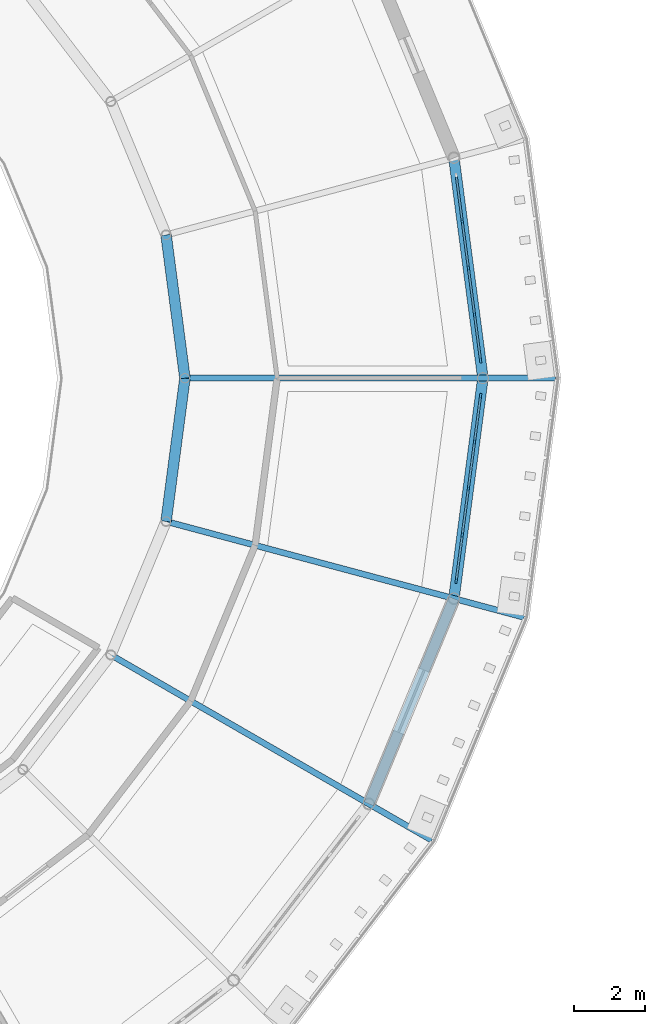
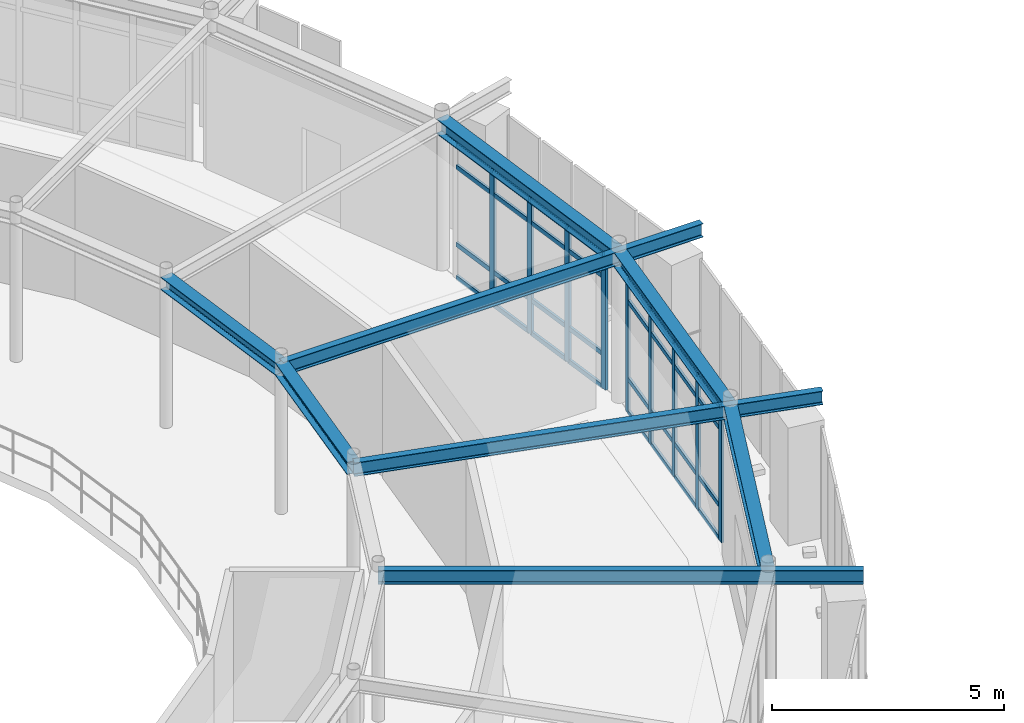
# One storey, part 38 of 90: 41 members, 8 beams, 2 elements without a shape of their own.
"""IFC4 building model written with IfcOpenShell, lengths in metres."""

from ifc_helpers import new_model, si_unit, derived_unit, direction, frame, origin, origin_2d, place, context, subcontext, project, spatial, rectangle, i_section, extrude, material, layer, layer_set, material_profile, profile_set, type_object, element, aggregate, save


model = new_model("IFC4")

# Units and contexts
model_context = context("Model", 3, precision=1e-05, world=origin(), true_north=direction((0.0, 1.0)))
body_context = subcontext(model_context, "Body", "Model", "MODEL_VIEW")
ifc_project = project(units=[si_unit("LENGTHUNIT", "METRE"), si_unit("AREAUNIT", "SQUARE_METRE"), si_unit("VOLUMEUNIT", "CUBIC_METRE"), si_unit("PLANEANGLEUNIT", "RADIAN"), si_unit("MASSUNIT", "GRAM", prefix="KILO"), derived_unit("THERMALTRANSMITTANCEUNIT", [(si_unit("POWERUNIT", "WATT"), 1), (si_unit("AREAUNIT", "SQUARE_METRE"), -1), (si_unit("THERMODYNAMICTEMPERATUREUNIT", "KELVIN"), -1)])], contexts=[model_context])

# Site, building, storey
site_placement = place(None, origin())
site = spatial("IfcSite", under=ifc_project, at=site_placement, CompositionType="ELEMENT")
building_placement = place(site_placement, origin())
building = spatial("IfcBuilding", under=site, at=building_placement, Name="Yasenodar Specialist Clinic", CompositionType="ELEMENT")
storey_placement = place(building_placement, frame((0.0, 0.0, 9.0)))
storey = spatial("IfcBuildingStorey", under=building, at=storey_placement, Name="L02", CompositionType="ELEMENT", Elevation=9.0)

# Beams
ifc_material_1 = material(Name="Steel S355", Category="steel")
ifc_material_profile_1 = material_profile(ifc_material_1, i_section(OverallWidth=0.300048828125, OverallDepth=0.330078125, WebThickness=0.009521484375, FlangeThickness=0.0166015625, FilletRadius=0.027099609375, at=origin_2d()), Name="HEA 340")
ifc_profile_set_1 = profile_set([ifc_material_profile_1], Name="Steel S355")
beam_type_1 = type_object("IfcBeamType", Name="BM-HEA340", PredefinedType="BEAM", material=ifc_profile_set_1)
for number, where, z_axis, x_axis, name in (
    (1, (96.60009765625, 58.800048828125, 3.784912109375), (-0.130569268018, 0.991439189385, 0.0), (-0.991439189385, -0.130569268018, 0.0), "L02 Drum V1 Inner Ring Beam"),
    (2, (96.068359375, 54.762451171875, 3.784912109375), (0.130569268018, 0.991439189385, 0.0), (-0.991439189385, 0.130569268018, 0.0), "L02 Drum V1 Inner Ring Beam"),
):
    element("IfcBeam", number, at=place(storey_placement, frame(where, z_axis=z_axis, x_axis=x_axis)), inside=storey, type_object=beam_type_1, Name=name, PredefinedType="BEAM", context=body_context, shape_type="SweptSolid", body=[
        extrude(i_section(OverallWidth=0.300048828125, OverallDepth=0.330078125, WebThickness=0.009521484375, FlangeThickness=0.0166015625, FilletRadius=0.027099609375, at=origin_2d()), origin(), (0.0, 0.0, 1.0), 4.072509765625),
    ])
ifc_material_profile_2 = material_profile(ifc_material_1, i_section(OverallWidth=0.300048828125, OverallDepth=0.389892578125, WebThickness=0.010986328125, FlangeThickness=0.01904296875, FilletRadius=0.027099609375, at=origin_2d()), Name="HEA 400")
ifc_profile_set_2 = profile_set([ifc_material_profile_2], Name="Steel S355")
beam_type_2 = type_object("IfcBeamType", Name="BM-HEA400", PredefinedType="BEAM", material=ifc_profile_set_2)
beam_1_placement = place(storey_placement, frame((105.0, 58.800048828125, 3.7548828125), z_axis=(-0.130540192224, 0.991443018138, 0.0), x_axis=(-0.991443018138, -0.130540192224, 0.0)))
element("IfcBeam", 3, at=beam_1_placement, inside=storey, type_object=beam_type_2, Name="L02 Drum V1 Perimeter Ring Beam", PredefinedType="BEAM", context=body_context, shape_type="SweptSolid", body=[
    extrude(i_section(OverallWidth=0.300048828125, OverallDepth=0.389892578125, WebThickness=0.010986328125, FlangeThickness=0.01904296875, FilletRadius=0.027099609375, at=origin_2d()), origin(), (0.0, 0.0, 1.0), 6.265380859375),
])
beam_2_placement = place(storey_placement, frame((101.78466796875, 46.800048828125, 3.7548828125), z_axis=(0.382663829839, 0.9238876519, 0.0), x_axis=(-0.9238876519, 0.382663829839, 0.0)))
element("IfcBeam", 4, at=beam_2_placement, inside=storey, type_object=beam_type_2, Name="L02 Drum V1 Perimeter Ring Beam", PredefinedType="BEAM", context=body_context, shape_type="SweptSolid", body=[
    extrude(i_section(OverallWidth=0.300048828125, OverallDepth=0.389892578125, WebThickness=0.010986328125, FlangeThickness=0.01904296875, FilletRadius=0.027099609375, at=origin_2d()), origin(), (0.0, 0.0, 1.0), 6.26513671875),
])
beam_3_placement = place(storey_placement, frame((104.18212890625, 52.58837890625, 3.7548828125), z_axis=(0.130540192224, 0.991443018138, 0.0), x_axis=(-0.991443018138, 0.130540192224, 0.0)))
element("IfcBeam", 5, at=beam_3_placement, inside=storey, type_object=beam_type_2, Name="L02 Drum V1 Perimeter Ring Beam", PredefinedType="BEAM", context=body_context, shape_type="SweptSolid", body=[
    extrude(i_section(OverallWidth=0.300048828125, OverallDepth=0.389892578125, WebThickness=0.010986328125, FlangeThickness=0.01904296875, FilletRadius=0.027099609375, at=origin_2d()), origin(), (0.0, 0.0, 1.0), 6.265380859375),
])
ifc_material_profile_3 = material_profile(ifc_material_1, i_section(OverallWidth=0.169921875, OverallDepth=0.360107421875, WebThickness=0.008056640625, FlangeThickness=0.0126953125, FilletRadius=0.01806640625, at=origin_2d()), Name="IPE 360")
ifc_profile_set_3 = profile_set([ifc_material_profile_3], Name="Steel S355")
beam_type_3 = type_object("IfcBeamType", Name="BM-IPE360", PredefinedType="BEAM", material=ifc_profile_set_3)
beam_4_placement = place(storey_placement, frame((96.60009765625, 58.800048828125, 3.77001953125), z_axis=(1.0, 0.0, 0.0), x_axis=(0.0, 1.0, 0.0)))
element("IfcBeam", 6, at=beam_4_placement, inside=storey, type_object=beam_type_3, Name="L02 Drum V1 Radial Back-Spanned Cantilever Beam", PredefinedType="BEAM", context=body_context, shape_type="SweptSolid", body=[
    extrude(i_section(OverallWidth=0.169921875, OverallDepth=0.360107421875, WebThickness=0.008056640625, FlangeThickness=0.0126953125, FilletRadius=0.01806640625, at=origin_2d()), origin(), (0.0, 0.0, 1.0), 10.449951171875),
])
beam_5_placement = place(storey_placement, frame((94.510009765625, 51.0, 3.77001953125), z_axis=(0.86602335148, -0.500003554679, 0.0), x_axis=(0.500003554679, 0.86602335148, 0.0)))
element("IfcBeam", 7, at=beam_5_placement, inside=storey, type_object=beam_type_3, Name="L02 Drum V1 Radial Back-Spanned Cantilever Beam", PredefinedType="BEAM", context=body_context, shape_type="SweptSolid", body=[
    extrude(i_section(OverallWidth=0.169921875, OverallDepth=0.360107421875, WebThickness=0.008056640625, FlangeThickness=0.0126953125, FilletRadius=0.01806640625, at=origin_2d()), origin(), (0.0, 0.0, 1.0), 10.4501953125),
])
beam_6_placement = place(storey_placement, frame((96.068359375, 54.762451171875, 3.77001953125), z_axis=(0.965927925162, -0.258811211874, 0.0), x_axis=(0.258811211874, 0.965927925162, 0.0)))
element("IfcBeam", 8, at=beam_6_placement, inside=storey, type_object=beam_type_3, Name="L02 Drum V1 Radial Back-Spanned Cantilever Beam", PredefinedType="BEAM", context=body_context, shape_type="SweptSolid", body=[
    extrude(i_section(OverallWidth=0.169921875, OverallDepth=0.360107421875, WebThickness=0.008056640625, FlangeThickness=0.0126953125, FilletRadius=0.01806640625, at=origin_2d()), origin(), (0.0, 0.0, 1.0), 10.449951171875),
])

# Curtain wall, members
ifc_material_2 = material(Name="Bronze Anodized Aluminium and Triple Low-E Glass", Category="aluminium")
ifc_layer = layer(ifc_material_2, 0.1669921875)
ifc_layer_set = layer_set([ifc_layer], Name="Bronze Anodized Aluminium and Triple Low-E Glass")
curtain_wall_type = type_object("IfcCurtainWallType", Name="CW-SYS-01", PredefinedType="USERDEFINED", material=ifc_layer_set)
curtain_wall_1_placement = place(storey_placement, origin())
curtain_wall_1 = element("IfcCurtainWall", 9, at=curtain_wall_1_placement, inside=storey, type_object=curtain_wall_type, Name="L02 Unitised Curtain Wall 026", ObjectType="UNITISED CURTAIN WALL", PredefinedType="USERDEFINED")
ifc_material_3 = material(Name="Bronze Anodized Aluminium", Category="aluminium")
ifc_material_profile_4 = material_profile(ifc_material_3, rectangle(XDim=0.06005859375, YDim=0.159912109375, at=origin_2d()), Name="CW-MULL 60x160")
ifc_profile_set_4 = profile_set([ifc_material_profile_4], Name="Bronze Anodized Aluminium")
member_type_1 = type_object("IfcMemberType", Name="CW-MULL-160", PredefinedType="MULLION", material=ifc_profile_set_4)
member_1_placement = place(storey_placement, frame((104.41796875, 63.220703125, 0.0), z_axis=(0.0, 0.0, 1.0), x_axis=(0.991446787601, 0.13051156024, 0.0)))
member_1 = element("IfcMember", 10, at=member_1_placement, type_object=member_type_1, Name="CW-01 mullion 2", PredefinedType="MULLION", context=body_context, shape_type="SweptSolid", body=[
    extrude(rectangle(XDim=0.06005859375, YDim=0.159912109375, at=origin_2d()), origin(), (0.0, 0.0, 1.0), 3.5380859375),
])
member_2_placement = place(storey_placement, frame((104.591064453125, 61.90576171875, 0.0), z_axis=(0.0, 0.0, 1.0), x_axis=(0.991446787601, 0.13051156024, 0.0)))
member_2 = element("IfcMember", 11, at=member_2_placement, type_object=member_type_1, Name="CW-01 mullion 3", PredefinedType="MULLION", context=body_context, shape_type="SweptSolid", body=[
    extrude(rectangle(XDim=0.06005859375, YDim=0.159912109375, at=origin_2d()), origin(), (0.0, 0.0, 1.0), 3.5380859375),
])
member_3_placement = place(storey_placement, frame((104.76416015625, 60.5908203125, 0.0), z_axis=(0.0, 0.0, 1.0), x_axis=(0.991446787601, 0.13051156024, 0.0)))
member_3 = element("IfcMember", 12, at=member_3_placement, type_object=member_type_1, Name="CW-01 mullion 4", PredefinedType="MULLION", context=body_context, shape_type="SweptSolid", body=[
    extrude(rectangle(XDim=0.06005859375, YDim=0.159912109375, at=origin_2d()), origin(), (0.0, 0.0, 1.0), 3.5380859375),
])
member_4_placement = place(storey_placement, frame((104.933349609375, 59.3056640625, 0.0), z_axis=(0.0, 0.0, 1.0), x_axis=(0.991446787601, 0.13051156024, 0.0)))
member_4 = element("IfcMember", 13, at=member_4_placement, type_object=member_type_1, Name="CW-01 mullion 5", PredefinedType="MULLION", context=body_context, shape_type="SweptSolid", body=[
    extrude(rectangle(XDim=0.06005859375, YDim=0.159912109375, at=origin_2d()), origin(), (0.0, 0.0, 1.0), 3.5380859375),
])

curtain_wall_2_placement = place(storey_placement, origin())
curtain_wall_2 = element("IfcCurtainWall", 14, at=curtain_wall_2_placement, inside=storey, type_object=curtain_wall_type, Name="L02 Unitised Curtain Wall 039", ObjectType="UNITISED CURTAIN WALL", PredefinedType="USERDEFINED")
member_5_placement = place(storey_placement, frame((104.933349609375, 58.29443359375, 0.0), z_axis=(0.0, 0.0, 1.0), x_axis=(0.991446787601, -0.13051156024, 0.0)))
member_5 = element("IfcMember", 15, at=member_5_placement, type_object=member_type_1, Name="CW-01 mullion 1", PredefinedType="MULLION", context=body_context, shape_type="SweptSolid", body=[
    extrude(rectangle(XDim=0.06005859375, YDim=0.159912109375, at=origin_2d()), origin(), (0.0, 0.0, 1.0), 3.5380859375),
])
member_6_placement = place(storey_placement, frame((104.76416015625, 57.009033203125, 0.0), z_axis=(0.0, 0.0, 1.0), x_axis=(0.991446787601, -0.13051156024, 0.0)))
member_6 = element("IfcMember", 16, at=member_6_placement, type_object=member_type_1, Name="CW-01 mullion 2", PredefinedType="MULLION", context=body_context, shape_type="SweptSolid", body=[
    extrude(rectangle(XDim=0.06005859375, YDim=0.159912109375, at=origin_2d()), origin(), (0.0, 0.0, 1.0), 3.5380859375),
])
member_7_placement = place(storey_placement, frame((104.591064453125, 55.694091796875, 0.0), z_axis=(0.0, 0.0, 1.0), x_axis=(0.991446787601, -0.13051156024, 0.0)))
member_7 = element("IfcMember", 17, at=member_7_placement, type_object=member_type_1, Name="CW-01 mullion 3", PredefinedType="MULLION", context=body_context, shape_type="SweptSolid", body=[
    extrude(rectangle(XDim=0.06005859375, YDim=0.159912109375, at=origin_2d()), origin(), (0.0, 0.0, 1.0), 3.5380859375),
])
member_8_placement = place(storey_placement, frame((104.41796875, 54.379150390625, 0.0), z_axis=(0.0, 0.0, 1.0), x_axis=(0.991446787601, -0.13051156024, 0.0)))
member_8 = element("IfcMember", 18, at=member_8_placement, type_object=member_type_1, Name="CW-01 mullion 4", PredefinedType="MULLION", context=body_context, shape_type="SweptSolid", body=[
    extrude(rectangle(XDim=0.06005859375, YDim=0.159912109375, at=origin_2d()), origin(), (0.0, 0.0, 1.0), 3.5380859375),
])
member_9_placement = place(storey_placement, frame((104.248779296875, 53.093994140625, 0.0), z_axis=(0.0, 0.0, 1.0), x_axis=(0.991446787601, -0.13051156024, 0.0)))
member_9 = element("IfcMember", 19, at=member_9_placement, type_object=member_type_1, Name="CW-01 mullion 5", PredefinedType="MULLION", context=body_context, shape_type="SweptSolid", body=[
    extrude(rectangle(XDim=0.06005859375, YDim=0.159912109375, at=origin_2d()), origin(), (0.0, 0.0, 1.0), 3.5380859375),
])

# Member
ifc_material_profile_5 = material_profile(ifc_material_3, rectangle(XDim=0.06005859375, YDim=0.1201171875, at=origin_2d()), Name="CW-TRAN 60x120")
ifc_profile_set_5 = profile_set([ifc_material_profile_5], Name="Bronze Anodized Aluminium")
member_type_2 = type_object("IfcMemberType", Name="CW-TRAN-120", PredefinedType="USERDEFINED", material=ifc_profile_set_5)
member_10_placement = place(storey_placement, frame((104.252685546875, 64.476318359375, 0.030029296875), z_axis=(0.130520914683, -0.99144555616, 0.0), x_axis=(0.99144555616, 0.130520914683, 0.0)))
member_10 = element("IfcMember", 20, at=member_10_placement, type_object=member_type_2, Name="CW-01 transom 1.1", ObjectType="TRANSOM", PredefinedType="USERDEFINED", context=body_context, shape_type="SweptSolid", body=[
    extrude(rectangle(XDim=0.06005859375, YDim=0.1201171875, at=origin_2d()), origin(), (0.0, 0.0, 1.0), 1.236328125),
])

member_11_placement = place(storey_placement, frame((104.252685546875, 64.476318359375, 0.89990234375), z_axis=(0.130520914683, -0.99144555616, 0.0), x_axis=(0.99144555616, 0.130520914683, 0.0)))
member_11 = element("IfcMember", 21, at=member_11_placement, type_object=member_type_2, Name="CW-01 transom 1.2", ObjectType="TRANSOM", PredefinedType="USERDEFINED", context=body_context, shape_type="SweptSolid", body=[
    extrude(rectangle(XDim=0.06005859375, YDim=0.1201171875, at=origin_2d()), origin(), (0.0, 0.0, 1.0), 1.236328125),
])

member_12_placement = place(storey_placement, frame((104.252685546875, 64.476318359375, 2.93798828125), z_axis=(0.130520914683, -0.99144555616, 0.0), x_axis=(0.99144555616, 0.130520914683, 0.0)))
member_12 = element("IfcMember", 22, at=member_12_placement, type_object=member_type_2, Name="CW-01 transom 1.3", ObjectType="TRANSOM", PredefinedType="USERDEFINED", context=body_context, shape_type="SweptSolid", body=[
    extrude(rectangle(XDim=0.06005859375, YDim=0.1201171875, at=origin_2d()), origin(), (0.0, 0.0, 1.0), 1.236328125),
])

member_13_placement = place(storey_placement, frame((104.252685546875, 64.476318359375, 3.508056640625), z_axis=(0.130520914683, -0.99144555616, 0.0), x_axis=(0.99144555616, 0.130520914683, 0.0)))
member_13 = element("IfcMember", 23, at=member_13_placement, type_object=member_type_2, Name="CW-01 transom 1.4", ObjectType="TRANSOM", PredefinedType="USERDEFINED", context=body_context, shape_type="SweptSolid", body=[
    extrude(rectangle(XDim=0.06005859375, YDim=0.1201171875, at=origin_2d()), origin(), (0.0, 0.0, 1.0), 1.236328125),
])

member_14_placement = place(storey_placement, frame((104.421875, 63.191162109375, 0.030029296875), z_axis=(0.13050936627, -0.991447076407, 0.0), x_axis=(0.991447076407, 0.13050936627, 0.0)))
member_14 = element("IfcMember", 24, at=member_14_placement, type_object=member_type_2, Name="CW-01 transom 2.1", ObjectType="TRANSOM", PredefinedType="USERDEFINED", context=body_context, shape_type="SweptSolid", body=[
    extrude(rectangle(XDim=0.06005859375, YDim=0.1201171875, at=origin_2d()), origin(), (0.0, 0.0, 1.0), 1.266357421875),
])

member_15_placement = place(storey_placement, frame((104.421875, 63.191162109375, 0.89990234375), z_axis=(0.13050936627, -0.991447076407, 0.0), x_axis=(0.991447076407, 0.13050936627, 0.0)))
member_15 = element("IfcMember", 25, at=member_15_placement, type_object=member_type_2, Name="CW-01 transom 2.2", ObjectType="TRANSOM", PredefinedType="USERDEFINED", context=body_context, shape_type="SweptSolid", body=[
    extrude(rectangle(XDim=0.06005859375, YDim=0.1201171875, at=origin_2d()), origin(), (0.0, 0.0, 1.0), 1.266357421875),
])

member_16_placement = place(storey_placement, frame((104.421875, 63.191162109375, 2.93798828125), z_axis=(0.13050936627, -0.991447076407, 0.0), x_axis=(0.991447076407, 0.13050936627, 0.0)))
member_16 = element("IfcMember", 26, at=member_16_placement, type_object=member_type_2, Name="CW-01 transom 2.3", ObjectType="TRANSOM", PredefinedType="USERDEFINED", context=body_context, shape_type="SweptSolid", body=[
    extrude(rectangle(XDim=0.06005859375, YDim=0.1201171875, at=origin_2d()), origin(), (0.0, 0.0, 1.0), 1.266357421875),
])

member_17_placement = place(storey_placement, frame((104.421875, 63.191162109375, 3.508056640625), z_axis=(0.13050936627, -0.991447076407, 0.0), x_axis=(0.991447076407, 0.13050936627, 0.0)))
member_17 = element("IfcMember", 27, at=member_17_placement, type_object=member_type_2, Name="CW-01 transom 2.4", ObjectType="TRANSOM", PredefinedType="USERDEFINED", context=body_context, shape_type="SweptSolid", body=[
    extrude(rectangle(XDim=0.06005859375, YDim=0.1201171875, at=origin_2d()), origin(), (0.0, 0.0, 1.0), 1.266357421875),
])

member_18_placement = place(storey_placement, frame((104.594970703125, 61.876220703125, 0.030029296875), z_axis=(0.13050936627, -0.991447076407, 0.0), x_axis=(0.991447076407, 0.13050936627, 0.0)))
member_18 = element("IfcMember", 28, at=member_18_placement, type_object=member_type_2, Name="CW-01 transom 3.1", ObjectType="TRANSOM", PredefinedType="USERDEFINED", context=body_context, shape_type="SweptSolid", body=[
    extrude(rectangle(XDim=0.06005859375, YDim=0.1201171875, at=origin_2d()), origin(), (0.0, 0.0, 1.0), 1.266357421875),
])

member_19_placement = place(storey_placement, frame((104.594970703125, 61.876220703125, 0.89990234375), z_axis=(0.13050936627, -0.991447076407, 0.0), x_axis=(0.991447076407, 0.13050936627, 0.0)))
member_19 = element("IfcMember", 29, at=member_19_placement, type_object=member_type_2, Name="CW-01 transom 3.2", ObjectType="TRANSOM", PredefinedType="USERDEFINED", context=body_context, shape_type="SweptSolid", body=[
    extrude(rectangle(XDim=0.06005859375, YDim=0.1201171875, at=origin_2d()), origin(), (0.0, 0.0, 1.0), 1.266357421875),
])

member_20_placement = place(storey_placement, frame((104.594970703125, 61.876220703125, 2.93798828125), z_axis=(0.13050936627, -0.991447076407, 0.0), x_axis=(0.991447076407, 0.13050936627, 0.0)))
member_20 = element("IfcMember", 30, at=member_20_placement, type_object=member_type_2, Name="CW-01 transom 3.3", ObjectType="TRANSOM", PredefinedType="USERDEFINED", context=body_context, shape_type="SweptSolid", body=[
    extrude(rectangle(XDim=0.06005859375, YDim=0.1201171875, at=origin_2d()), origin(), (0.0, 0.0, 1.0), 1.266357421875),
])

member_21_placement = place(storey_placement, frame((104.594970703125, 61.876220703125, 3.508056640625), z_axis=(0.13050936627, -0.991447076407, 0.0), x_axis=(0.991447076407, 0.13050936627, 0.0)))
member_21 = element("IfcMember", 31, at=member_21_placement, type_object=member_type_2, Name="CW-01 transom 3.4", ObjectType="TRANSOM", PredefinedType="USERDEFINED", context=body_context, shape_type="SweptSolid", body=[
    extrude(rectangle(XDim=0.06005859375, YDim=0.1201171875, at=origin_2d()), origin(), (0.0, 0.0, 1.0), 1.266357421875),
])

member_22_placement = place(storey_placement, frame((104.76806640625, 60.56103515625, 0.030029296875), z_axis=(0.130546471803, -0.991442191305, 0.0), x_axis=(0.991442191305, 0.130546471803, 0.0)))
member_22 = element("IfcMember", 32, at=member_22_placement, type_object=member_type_2, Name="CW-01 transom 4.1", ObjectType="TRANSOM", PredefinedType="USERDEFINED", context=body_context, shape_type="SweptSolid", body=[
    extrude(rectangle(XDim=0.06005859375, YDim=0.1201171875, at=origin_2d()), origin(), (0.0, 0.0, 1.0), 1.236083984375),
])

member_23_placement = place(storey_placement, frame((104.76806640625, 60.56103515625, 0.89990234375), z_axis=(0.130546471803, -0.991442191305, 0.0), x_axis=(0.991442191305, 0.130546471803, 0.0)))
member_23 = element("IfcMember", 33, at=member_23_placement, type_object=member_type_2, Name="CW-01 transom 4.2", ObjectType="TRANSOM", PredefinedType="USERDEFINED", context=body_context, shape_type="SweptSolid", body=[
    extrude(rectangle(XDim=0.06005859375, YDim=0.1201171875, at=origin_2d()), origin(), (0.0, 0.0, 1.0), 1.236083984375),
])

member_24_placement = place(storey_placement, frame((104.76806640625, 60.56103515625, 2.93798828125), z_axis=(0.130546471803, -0.991442191305, 0.0), x_axis=(0.991442191305, 0.130546471803, 0.0)))
member_24 = element("IfcMember", 34, at=member_24_placement, type_object=member_type_2, Name="CW-01 transom 4.3", ObjectType="TRANSOM", PredefinedType="USERDEFINED", context=body_context, shape_type="SweptSolid", body=[
    extrude(rectangle(XDim=0.06005859375, YDim=0.1201171875, at=origin_2d()), origin(), (0.0, 0.0, 1.0), 1.236083984375),
])

member_25_placement = place(storey_placement, frame((104.76806640625, 60.56103515625, 3.508056640625), z_axis=(0.130546471803, -0.991442191305, 0.0), x_axis=(0.991442191305, 0.130546471803, 0.0)))
member_25 = element("IfcMember", 35, at=member_25_placement, type_object=member_type_2, Name="CW-01 transom 4.4", ObjectType="TRANSOM", PredefinedType="USERDEFINED", context=body_context, shape_type="SweptSolid", body=[
    extrude(rectangle(XDim=0.06005859375, YDim=0.1201171875, at=origin_2d()), origin(), (0.0, 0.0, 1.0), 1.236083984375),
])

aggregate(curtain_wall_1, [member_1, member_2, member_3, member_4, member_10, member_11, member_12, member_13, member_14, member_15, member_16, member_17, member_18, member_19, member_20, member_21, member_22, member_23, member_24, member_25])

member_26_placement = place(storey_placement, frame((104.929443359375, 58.2646484375, 0.030029296875), z_axis=(-0.130520914683, -0.99144555616, 0.0), x_axis=(0.99144555616, -0.130520914683, 0.0)))
member_26 = element("IfcMember", 36, at=member_26_placement, type_object=member_type_2, Name="CW-01 transom 1.1", ObjectType="TRANSOM", PredefinedType="USERDEFINED", context=body_context, shape_type="SweptSolid", body=[
    extrude(rectangle(XDim=0.06005859375, YDim=0.1201171875, at=origin_2d()), origin(), (0.0, 0.0, 1.0), 1.236328125),
])

member_27_placement = place(storey_placement, frame((104.929443359375, 58.2646484375, 0.89990234375), z_axis=(-0.130520914683, -0.99144555616, 0.0), x_axis=(0.99144555616, -0.130520914683, 0.0)))
member_27 = element("IfcMember", 37, at=member_27_placement, type_object=member_type_2, Name="CW-01 transom 1.2", ObjectType="TRANSOM", PredefinedType="USERDEFINED", context=body_context, shape_type="SweptSolid", body=[
    extrude(rectangle(XDim=0.06005859375, YDim=0.1201171875, at=origin_2d()), origin(), (0.0, 0.0, 1.0), 1.236328125),
])

member_28_placement = place(storey_placement, frame((104.929443359375, 58.2646484375, 2.93798828125), z_axis=(-0.130520914683, -0.99144555616, 0.0), x_axis=(0.99144555616, -0.130520914683, 0.0)))
member_28 = element("IfcMember", 38, at=member_28_placement, type_object=member_type_2, Name="CW-01 transom 1.3", ObjectType="TRANSOM", PredefinedType="USERDEFINED", context=body_context, shape_type="SweptSolid", body=[
    extrude(rectangle(XDim=0.06005859375, YDim=0.1201171875, at=origin_2d()), origin(), (0.0, 0.0, 1.0), 1.236328125),
])

member_29_placement = place(storey_placement, frame((104.929443359375, 58.2646484375, 3.508056640625), z_axis=(-0.130520914683, -0.99144555616, 0.0), x_axis=(0.99144555616, -0.130520914683, 0.0)))
member_29 = element("IfcMember", 39, at=member_29_placement, type_object=member_type_2, Name="CW-01 transom 1.4", ObjectType="TRANSOM", PredefinedType="USERDEFINED", context=body_context, shape_type="SweptSolid", body=[
    extrude(rectangle(XDim=0.06005859375, YDim=0.1201171875, at=origin_2d()), origin(), (0.0, 0.0, 1.0), 1.236328125),
])

member_30_placement = place(storey_placement, frame((104.76025390625, 56.9794921875, 0.030029296875), z_axis=(-0.13050936627, -0.991447076407, 0.0), x_axis=(0.991447076407, -0.13050936627, 0.0)))
member_30 = element("IfcMember", 40, at=member_30_placement, type_object=member_type_2, Name="CW-01 transom 2.1", ObjectType="TRANSOM", PredefinedType="USERDEFINED", context=body_context, shape_type="SweptSolid", body=[
    extrude(rectangle(XDim=0.06005859375, YDim=0.1201171875, at=origin_2d()), origin(), (0.0, 0.0, 1.0), 1.266357421875),
])

member_31_placement = place(storey_placement, frame((104.76025390625, 56.9794921875, 0.89990234375), z_axis=(-0.13050936627, -0.991447076407, 0.0), x_axis=(0.991447076407, -0.13050936627, 0.0)))
member_31 = element("IfcMember", 41, at=member_31_placement, type_object=member_type_2, Name="CW-01 transom 2.2", ObjectType="TRANSOM", PredefinedType="USERDEFINED", context=body_context, shape_type="SweptSolid", body=[
    extrude(rectangle(XDim=0.06005859375, YDim=0.1201171875, at=origin_2d()), origin(), (0.0, 0.0, 1.0), 1.266357421875),
])

member_32_placement = place(storey_placement, frame((104.76025390625, 56.9794921875, 2.93798828125), z_axis=(-0.13050936627, -0.991447076407, 0.0), x_axis=(0.991447076407, -0.13050936627, 0.0)))
member_32 = element("IfcMember", 42, at=member_32_placement, type_object=member_type_2, Name="CW-01 transom 2.3", ObjectType="TRANSOM", PredefinedType="USERDEFINED", context=body_context, shape_type="SweptSolid", body=[
    extrude(rectangle(XDim=0.06005859375, YDim=0.1201171875, at=origin_2d()), origin(), (0.0, 0.0, 1.0), 1.266357421875),
])

member_33_placement = place(storey_placement, frame((104.76025390625, 56.9794921875, 3.508056640625), z_axis=(-0.13050936627, -0.991447076407, 0.0), x_axis=(0.991447076407, -0.13050936627, 0.0)))
member_33 = element("IfcMember", 43, at=member_33_placement, type_object=member_type_2, Name="CW-01 transom 2.4", ObjectType="TRANSOM", PredefinedType="USERDEFINED", context=body_context, shape_type="SweptSolid", body=[
    extrude(rectangle(XDim=0.06005859375, YDim=0.1201171875, at=origin_2d()), origin(), (0.0, 0.0, 1.0), 1.266357421875),
])

member_34_placement = place(storey_placement, frame((104.587158203125, 55.664306640625, 0.030029296875), z_axis=(-0.13053431489, -0.99144379197, 0.0), x_axis=(0.99144379197, -0.13053431489, 0.0)))
member_34 = element("IfcMember", 44, at=member_34_placement, type_object=member_type_2, Name="CW-01 transom 3.1", ObjectType="TRANSOM", PredefinedType="USERDEFINED", context=body_context, shape_type="SweptSolid", body=[
    extrude(rectangle(XDim=0.06005859375, YDim=0.1201171875, at=origin_2d()), origin(), (0.0, 0.0, 1.0), 1.26611328125),
])

member_35_placement = place(storey_placement, frame((104.587158203125, 55.664306640625, 0.89990234375), z_axis=(-0.13053431489, -0.99144379197, 0.0), x_axis=(0.99144379197, -0.13053431489, 0.0)))
member_35 = element("IfcMember", 45, at=member_35_placement, type_object=member_type_2, Name="CW-01 transom 3.2", ObjectType="TRANSOM", PredefinedType="USERDEFINED", context=body_context, shape_type="SweptSolid", body=[
    extrude(rectangle(XDim=0.06005859375, YDim=0.1201171875, at=origin_2d()), origin(), (0.0, 0.0, 1.0), 1.26611328125),
])

member_36_placement = place(storey_placement, frame((104.587158203125, 55.664306640625, 2.93798828125), z_axis=(-0.13053431489, -0.99144379197, 0.0), x_axis=(0.99144379197, -0.13053431489, 0.0)))
member_36 = element("IfcMember", 46, at=member_36_placement, type_object=member_type_2, Name="CW-01 transom 3.3", ObjectType="TRANSOM", PredefinedType="USERDEFINED", context=body_context, shape_type="SweptSolid", body=[
    extrude(rectangle(XDim=0.06005859375, YDim=0.1201171875, at=origin_2d()), origin(), (0.0, 0.0, 1.0), 1.26611328125),
])

member_37_placement = place(storey_placement, frame((104.587158203125, 55.664306640625, 3.508056640625), z_axis=(-0.13053431489, -0.99144379197, 0.0), x_axis=(0.99144379197, -0.13053431489, 0.0)))
member_37 = element("IfcMember", 47, at=member_37_placement, type_object=member_type_2, Name="CW-01 transom 3.4", ObjectType="TRANSOM", PredefinedType="USERDEFINED", context=body_context, shape_type="SweptSolid", body=[
    extrude(rectangle(XDim=0.06005859375, YDim=0.1201171875, at=origin_2d()), origin(), (0.0, 0.0, 1.0), 1.26611328125),
])

member_38_placement = place(storey_placement, frame((104.4140625, 54.349365234375, 0.030029296875), z_axis=(-0.130546471803, -0.991442191305, 0.0), x_axis=(0.991442191305, -0.130546471803, 0.0)))
member_38 = element("IfcMember", 48, at=member_38_placement, type_object=member_type_2, Name="CW-01 transom 4.1", ObjectType="TRANSOM", PredefinedType="USERDEFINED", context=body_context, shape_type="SweptSolid", body=[
    extrude(rectangle(XDim=0.06005859375, YDim=0.1201171875, at=origin_2d()), origin(), (0.0, 0.0, 1.0), 1.236083984375),
])

member_39_placement = place(storey_placement, frame((104.4140625, 54.349365234375, 0.89990234375), z_axis=(-0.130546471803, -0.991442191305, 0.0), x_axis=(0.991442191305, -0.130546471803, 0.0)))
member_39 = element("IfcMember", 49, at=member_39_placement, type_object=member_type_2, Name="CW-01 transom 4.2", ObjectType="TRANSOM", PredefinedType="USERDEFINED", context=body_context, shape_type="SweptSolid", body=[
    extrude(rectangle(XDim=0.06005859375, YDim=0.1201171875, at=origin_2d()), origin(), (0.0, 0.0, 1.0), 1.236083984375),
])

member_40_placement = place(storey_placement, frame((104.4140625, 54.349365234375, 2.93798828125), z_axis=(-0.130546471803, -0.991442191305, 0.0), x_axis=(0.991442191305, -0.130546471803, 0.0)))
member_40 = element("IfcMember", 50, at=member_40_placement, type_object=member_type_2, Name="CW-01 transom 4.3", ObjectType="TRANSOM", PredefinedType="USERDEFINED", context=body_context, shape_type="SweptSolid", body=[
    extrude(rectangle(XDim=0.06005859375, YDim=0.1201171875, at=origin_2d()), origin(), (0.0, 0.0, 1.0), 1.236083984375),
])

member_41_placement = place(storey_placement, frame((104.4140625, 54.349365234375, 3.508056640625), z_axis=(-0.130546471803, -0.991442191305, 0.0), x_axis=(0.991442191305, -0.130546471803, 0.0)))
member_41 = element("IfcMember", 51, at=member_41_placement, type_object=member_type_2, Name="CW-01 transom 4.4", ObjectType="TRANSOM", PredefinedType="USERDEFINED", context=body_context, shape_type="SweptSolid", body=[
    extrude(rectangle(XDim=0.06005859375, YDim=0.1201171875, at=origin_2d()), origin(), (0.0, 0.0, 1.0), 1.236083984375),
])

aggregate(curtain_wall_2, [member_5, member_6, member_7, member_8, member_9, member_26, member_27, member_28, member_29, member_30, member_31, member_32, member_33, member_34, member_35, member_36, member_37, member_38, member_39, member_40, member_41])

save(model, "model.ifc")
